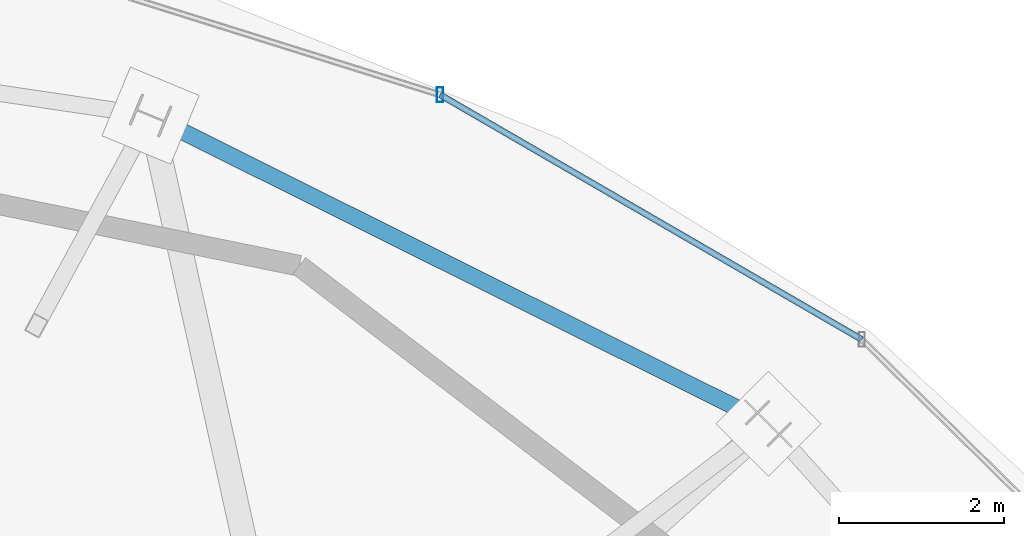
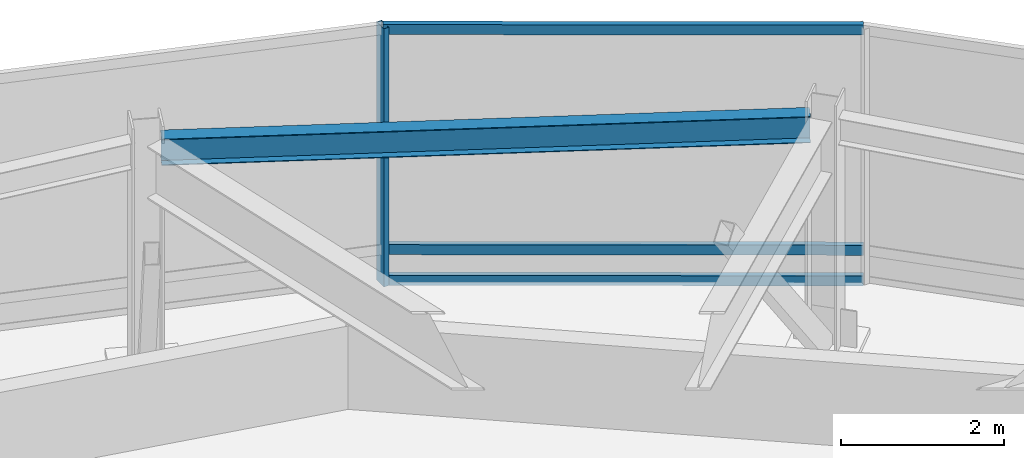
# One storey, part 21 of 28: 4 members, 1 beam, 1 element without a shape of its own.
"""IFC4 building model written with IfcOpenShell, lengths in metres."""

from ifc_helpers import new_model, si_unit, direction, frame, origin, origin_2d, place, context, subcontext, project, spatial, hollow_rectangle, i_section, extrude, material, material_profile, profile_set, type_object, element, aggregate, save


model = new_model("IFC4")

# Units and contexts
model_context = context("Model", 3, precision=1e-05, world=origin(), true_north=direction((0.0, 1.0)))
body_context = subcontext(model_context, "Body", "Model", "MODEL_VIEW")
ifc_project = project(units=[si_unit("LENGTHUNIT", "METRE"), si_unit("AREAUNIT", "SQUARE_METRE"), si_unit("VOLUMEUNIT", "CUBIC_METRE"), si_unit("PLANEANGLEUNIT", "RADIAN"), si_unit("MASSUNIT", "GRAM", prefix="KILO")], contexts=[model_context])

# Site, building, storey
site_placement = place(None, origin())
site = spatial("IfcSite", under=ifc_project, at=site_placement, CompositionType="ELEMENT")
building_placement = place(site_placement, origin())
building = spatial("IfcBuilding", under=site, at=building_placement, Name="Vorneva Point Tower", CompositionType="ELEMENT")
storey_placement = place(building_placement, frame((0.0, 0.0, 295.39990234375)))
storey = spatial("IfcBuildingStorey", under=building, at=storey_placement, Name="C01", CompositionType="ELEMENT", Elevation=295.39990234375)

# Beam
ifc_material_1 = material(Name="Steel S355", Category="steel")
ifc_material_profile_1 = material_profile(ifc_material_1, i_section(OverallWidth=0.198974609375, OverallDepth=0.39599609375, WebThickness=0.007080078125, FlangeThickness=0.010986328125, at=origin_2d()), Name="40B1")
ifc_profile_set_1 = profile_set([ifc_material_profile_1], Name="Steel S355")
beam_type = type_object("IfcBeamType", Name="BM-SPN-40B1", PredefinedType="SPANDREL", material=ifc_profile_set_1)
beam_placement = place(storey_placement, frame((54.13330078125, 38.24462890625, 3.35205078125), z_axis=(-0.894921902151, 0.446222802029, 0.0), x_axis=(-0.446222802029, -0.894921902151, 0.0)))
element("IfcBeam", 1, at=beam_placement, inside=storey, type_object=beam_type, Name="C01 Perimeter Spandrel Ring Beam 03", PredefinedType="SPANDREL", context=body_context, shape_type="SweptSolid", body=[
    extrude(i_section(OverallWidth=0.198974609375, OverallDepth=0.39599609375, WebThickness=0.007080078125, FlangeThickness=0.010986328125, at=origin_2d()), origin(), (0.0, 0.0, 1.0), 7.98583984375),
])

# Curtain wall, members
ifc_material_2 = material(Name="Pale anodised aluminium", Category="aluminium")
curtain_wall_type = type_object("IfcCurtainWallType", Name="CW-CRN-SYS", PredefinedType="NOTDEFINED", material=ifc_material_2)
curtain_wall_placement = place(storey_placement, origin())
curtain_wall = element("IfcCurtainWall", 2, at=curtain_wall_placement, inside=storey, type_object=curtain_wall_type, Name="C01 Unitised Curtain Wall CW-C01-Q1", PredefinedType="NOTDEFINED")
ifc_material_profile_2 = material_profile(ifc_material_2, hollow_rectangle(XDim=0.074951171875, YDim=0.179931640625, WallThickness=0.00390625, at=origin_2d()), Name="AL-MUL 180x75x4")
ifc_profile_set_2 = profile_set([ifc_material_profile_2], Name="Pale anodised aluminium")
member_type_1 = type_object("IfcMemberType", Name="CW-MUL-180", PredefinedType="MULLION", material=ifc_profile_set_2)
member_1_placement = place(storey_placement, frame((50.324951171875, 42.142578125, -0.039794921875), z_axis=(0.0, 0.0, 1.0), x_axis=(1.0, 0.0, 0.0)))
member_1 = element("IfcMember", 3, at=member_1_placement, type_object=member_type_1, Name="CW-C01-Q1 Mullion 05", PredefinedType="MULLION", context=body_context, shape_type="SweptSolid", body=[
    extrude(hollow_rectangle(XDim=0.074951171875, YDim=0.179931640625, WallThickness=0.00390625, at=origin_2d()), origin(), (0.0, 0.0, 1.0), 3.869873046875),
])
ifc_material_profile_3 = material_profile(ifc_material_2, hollow_rectangle(XDim=0.074951171875, YDim=0.14990234375, WallThickness=0.00390625, at=origin_2d()), Name="AL-TRN 150x75x4")
ifc_profile_set_3 = profile_set([ifc_material_profile_3], Name="Pale anodised aluminium")
member_type_2 = type_object("IfcMemberType", Name="CW-TRN-150", PredefinedType="USERDEFINED", material=ifc_profile_set_3)
member_2_placement = place(storey_placement, frame((55.43017578125, 39.180419921875, 0.02001953125), z_axis=(-0.864948240348, 0.501861077908, 0.0), x_axis=(-0.501861077908, -0.864948240348, 0.0)))
member_2 = element("IfcMember", 4, at=member_2_placement, type_object=member_type_2, Name="CW-C01-Q1 Transom 04.1", ObjectType="TRANSOM", PredefinedType="USERDEFINED", context=body_context, shape_type="SweptSolid", body=[
    extrude(hollow_rectangle(XDim=0.074951171875, YDim=0.14990234375, WallThickness=0.00390625, at=origin_2d()), origin(), (0.0, 0.0, 1.0), 5.90234375),
])
member_3_placement = place(storey_placement, frame((55.43017578125, 39.180419921875, 0.47998046875), z_axis=(-0.864948240348, 0.501861077908, 0.0), x_axis=(-0.501861077908, -0.864948240348, 0.0)))
member_3 = element("IfcMember", 5, at=member_3_placement, type_object=member_type_2, Name="CW-C01-Q1 Transom 04.2", ObjectType="TRANSOM", PredefinedType="USERDEFINED", context=body_context, shape_type="SweptSolid", body=[
    extrude(hollow_rectangle(XDim=0.074951171875, YDim=0.14990234375, WallThickness=0.00390625, at=origin_2d()), origin(), (0.0, 0.0, 1.0), 5.90234375),
])
member_4_placement = place(storey_placement, frame((55.43017578125, 39.180419921875, 3.780029296875), z_axis=(-0.864948240348, 0.501861077908, 0.0), x_axis=(-0.501861077908, -0.864948240348, 0.0)))
member_4 = element("IfcMember", 6, at=member_4_placement, type_object=member_type_2, Name="CW-C01-Q1 Transom 04.3", ObjectType="TRANSOM", PredefinedType="USERDEFINED", context=body_context, shape_type="SweptSolid", body=[
    extrude(hollow_rectangle(XDim=0.074951171875, YDim=0.14990234375, WallThickness=0.00390625, at=origin_2d()), origin(), (0.0, 0.0, 1.0), 5.90234375),
])
aggregate(curtain_wall, [member_1, member_2, member_3, member_4])

save(model, "model.ifc")
